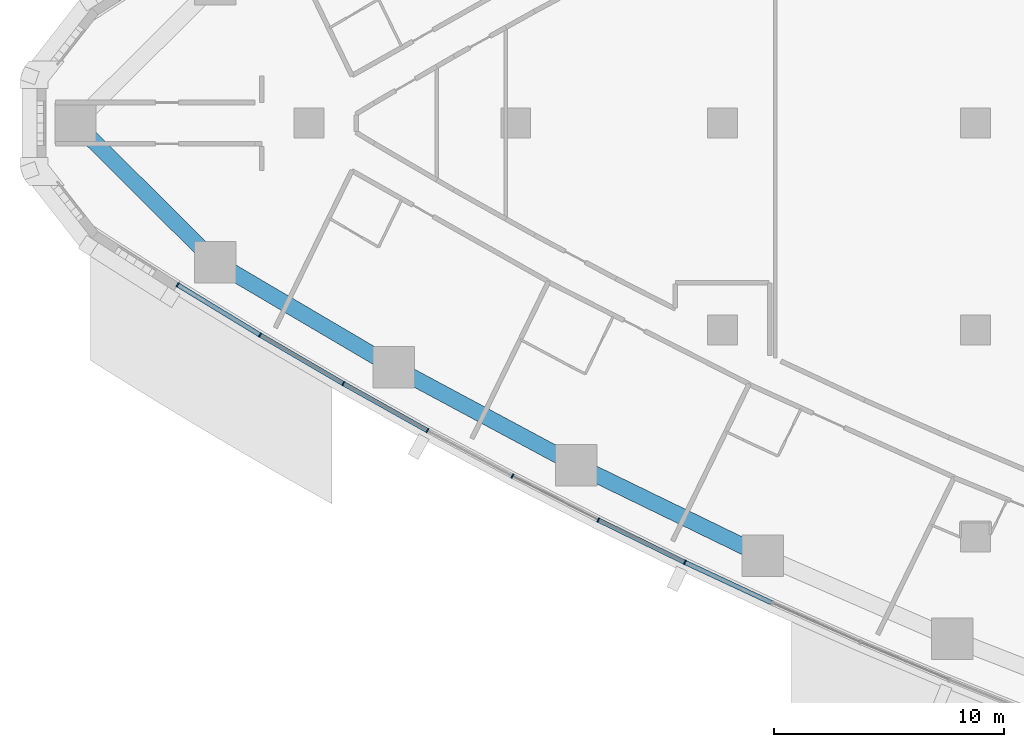
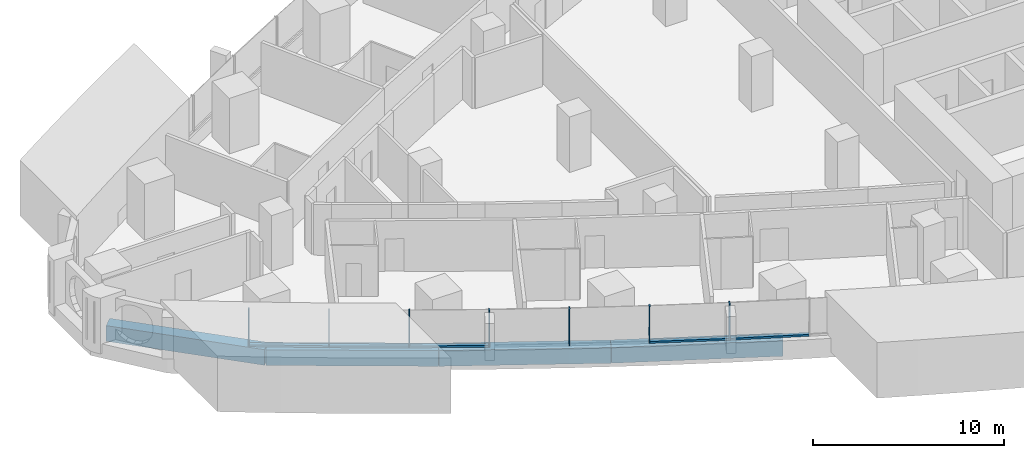
# One storey, part 2 of 19: 12 members, 4 beams, 3 elements without a shape of their own.
"""IFC4 building model written with IfcOpenShell, lengths in metres."""

from ifc_helpers import new_model, si_unit, direction, frame, origin, origin_2d, place, context, subcontext, project, spatial, rectangle, extrude, material, layer, layer_set, material_profile, profile_set, type_object, element, aggregate, save


model = new_model("IFC4")

# Units and contexts
model_context = context("Model", 3, precision=1e-05, world=origin(), true_north=direction((0.0, 1.0)))
body_context = subcontext(model_context, "Body", "Model", "MODEL_VIEW")
ifc_project = project(units=[si_unit("LENGTHUNIT", "METRE"), si_unit("AREAUNIT", "SQUARE_METRE"), si_unit("VOLUMEUNIT", "CUBIC_METRE"), si_unit("PLANEANGLEUNIT", "RADIAN"), si_unit("MASSUNIT", "GRAM", prefix="KILO")], contexts=[model_context])

# Site, building, storey
site_placement = place(None, origin())
site = spatial("IfcSite", under=ifc_project, at=site_placement, CompositionType="ELEMENT")
building_placement = place(site_placement, origin())
building = spatial("IfcBuilding", under=site, at=building_placement, Name="Ostrand Prow Hotel Tower", CompositionType="ELEMENT")
storey_placement = place(building_placement, frame((0.0, 0.0, 60.89990234375)))
storey = spatial("IfcBuildingStorey", under=building, at=storey_placement, Name="L13", CompositionType="ELEMENT", Elevation=60.89990234375)

# Beams
ifc_material_1 = material(Name="Concrete C80/95", Category="concrete")
ifc_material_profile_1 = material_profile(ifc_material_1, rectangle(XDim=0.699951171875, YDim=1.0, at=origin_2d()), Name="RC 700x1000")
ifc_profile_set_1 = profile_set([ifc_material_profile_1], Name="Concrete C80/95")
beam_type = type_object("IfcBeamType", Name="Edge beam 700x1000 C80/95", PredefinedType="SPANDREL", material=ifc_profile_set_1)
beam_1_placement = place(storey_placement, frame((5.848388671875, 0.0, -0.7998046875), z_axis=(0.709211674915, -0.70499560294, 0.0), x_axis=(0.70499560294, 0.709211674915, 0.0)))
element("IfcBeam", 1, at=beam_1_placement, inside=storey, type_object=beam_type, Name="Edge beam P-S1", PredefinedType="SPANDREL", context=body_context, shape_type="SweptSolid", body=[
    extrude(rectangle(XDim=0.699951171875, YDim=1.0, at=origin_2d()), origin(), (0.0, 0.0, 1.0), 8.5703125),
])
beam_2_placement = place(storey_placement, frame((11.926513671875, -6.0419921875, -0.7998046875), z_axis=(0.861725230108, -0.507375233722, 0.0), x_axis=(0.507375233722, 0.861725230108, 0.0)))
element("IfcBeam", 2, at=beam_2_placement, inside=storey, type_object=beam_type, Name="Edge beam S1-S2", PredefinedType="SPANDREL", context=body_context, shape_type="SweptSolid", body=[
    extrude(rectangle(XDim=0.699951171875, YDim=1.0, at=origin_2d()), origin(), (0.0, 0.0, 1.0), 9.012451171875),
])
beam_3_placement = place(storey_placement, frame((19.69287109375, -10.61474609375, -0.7998046875), z_axis=(0.881270074696, -0.472613008122, 0.0), x_axis=(0.472613008122, 0.881270074696, 0.0)))
element("IfcBeam", 3, at=beam_3_placement, inside=storey, type_object=beam_type, Name="Edge beam S2-S3", PredefinedType="SPANDREL", context=body_context, shape_type="SweptSolid", body=[
    extrude(rectangle(XDim=0.699951171875, YDim=1.0, at=origin_2d()), origin(), (0.0, 0.0, 1.0), 9.0126953125),
])
beam_4_placement = place(storey_placement, frame((27.635498046875, -14.874267578125, -0.7998046875), z_axis=(0.899382499202, -0.437162578601, 0.0), x_axis=(0.437162578601, 0.899382499202, 0.0)))
element("IfcBeam", 4, at=beam_4_placement, inside=storey, type_object=beam_type, Name="Edge beam S3-S4", PredefinedType="SPANDREL", context=body_context, shape_type="SweptSolid", body=[
    extrude(rectangle(XDim=0.699951171875, YDim=1.0, at=origin_2d()), origin(), (0.0, 0.0, 1.0), 9.012451171875),
])

# Curtain wall, members
ifc_material_2 = material(Name="Insulated glass in bronze anodised frame", Category="glass")
ifc_layer = layer(ifc_material_2, 0.199951171875)
ifc_layer_set = layer_set([ifc_layer], Name="Insulated glass in bronze anodised frame")
curtain_wall_type = type_object("IfcCurtainWallType", Name="Strip curtain wall, fritted glass over bronze spandrel", PredefinedType="NOTDEFINED", material=ifc_layer_set)
curtain_wall_1_placement = place(storey_placement, origin())
curtain_wall_1 = element("IfcCurtainWall", 5, at=curtain_wall_1_placement, inside=storey, type_object=curtain_wall_type, Name="CW1 run CWS1", PredefinedType="NOTDEFINED")
ifc_material_3 = material(Name="Bronze anodised aluminium", Category="aluminium")
ifc_material_profile_2 = material_profile(ifc_material_3, rectangle(XDim=0.199951171875, YDim=0.06005859375, at=origin_2d()), Name="Mullion 60x200 bronze anodised aluminium")
ifc_profile_set_2 = profile_set([ifc_material_profile_2], Name="Bronze anodised aluminium")
member_type_1 = type_object("IfcMemberType", Name="Mullion 60x200 bronze anodised aluminium", PredefinedType="MULLION", material=ifc_profile_set_2)
member_1_placement = place(storey_placement, frame((10.29443359375, -7.031494140625, 0.900146484375), z_axis=(0.0, 0.0, 1.0), x_axis=(0.519830761515, 0.854269266322, 0.0)))
member_1 = element("IfcMember", 6, at=member_1_placement, type_object=member_type_1, Name="CW1 mullion 1", PredefinedType="MULLION", context=body_context, shape_type="SweptSolid", body=[
    extrude(rectangle(XDim=0.199951171875, YDim=0.06005859375, at=origin_2d()), origin(), (0.0, 0.0, 1.0), 2.349853515625),
])
member_2_placement = place(storey_placement, frame((13.87744140625, -9.2119140625, 0.900146484375), z_axis=(0.0, 0.0, 1.0), x_axis=(0.50402272292, 0.863690392896, 0.0)))
member_2 = element("IfcMember", 7, at=member_2_placement, type_object=member_type_1, Name="CW1 mullion 2", PredefinedType="MULLION", context=body_context, shape_type="SweptSolid", body=[
    extrude(rectangle(XDim=0.199951171875, YDim=0.06005859375, at=origin_2d()), origin(), (0.0, 0.0, 1.0), 2.349853515625),
])
member_3_placement = place(storey_placement, frame((17.5, -11.325927734375, 0.900146484375), z_axis=(0.0, 0.0, 1.0), x_axis=(0.50402272292, 0.863690392896, 0.0)))
member_3 = element("IfcMember", 8, at=member_3_placement, type_object=member_type_1, Name="CW1 mullion 3", PredefinedType="MULLION", context=body_context, shape_type="SweptSolid", body=[
    extrude(rectangle(XDim=0.199951171875, YDim=0.06005859375, at=origin_2d()), origin(), (0.0, 0.0, 1.0), 2.349853515625),
])

curtain_wall_2_placement = place(storey_placement, origin())
curtain_wall_2 = element("IfcCurtainWall", 9, at=curtain_wall_2_placement, inside=storey, type_object=curtain_wall_type, Name="CW1 run CWS2", PredefinedType="NOTDEFINED")
member_4_placement = place(storey_placement, frame((21.160888671875, -13.372802734375, 0.900146484375), z_axis=(0.0, 0.0, 1.0), x_axis=(0.471899992481, 0.881652083929, 0.0)))
member_4 = element("IfcMember", 10, at=member_4_placement, type_object=member_type_1, Name="CW1 mullion 2", PredefinedType="MULLION", context=body_context, shape_type="SweptSolid", body=[
    extrude(rectangle(XDim=0.199951171875, YDim=0.06005859375, at=origin_2d()), origin(), (0.0, 0.0, 1.0), 2.349853515625),
])
member_5_placement = place(storey_placement, frame((24.858642578125, -15.35205078125, 0.900146484375), z_axis=(0.0, 0.0, 1.0), x_axis=(0.455596179055, 0.890186565631, 0.0)))
member_5 = element("IfcMember", 11, at=member_5_placement, type_object=member_type_1, Name="CW1 mullion 3", PredefinedType="MULLION", context=body_context, shape_type="SweptSolid", body=[
    extrude(rectangle(XDim=0.199951171875, YDim=0.06005859375, at=origin_2d()), origin(), (0.0, 0.0, 1.0), 2.349853515625),
])
member_6_placement = place(storey_placement, frame((28.59228515625, -17.262939453125, 0.900146484375), z_axis=(0.0, 0.0, 1.0), x_axis=(0.455596179055, 0.890186565631, 0.0)))
member_6 = element("IfcMember", 12, at=member_6_placement, type_object=member_type_1, Name="CW1 mullion 4", PredefinedType="MULLION", context=body_context, shape_type="SweptSolid", body=[
    extrude(rectangle(XDim=0.199951171875, YDim=0.06005859375, at=origin_2d()), origin(), (0.0, 0.0, 1.0), 2.349853515625),
])

# Curtain wall, member
curtain_wall_3_placement = place(storey_placement, origin())
curtain_wall_3 = element("IfcCurtainWall", 13, at=curtain_wall_3_placement, inside=storey, type_object=curtain_wall_type, Name="CW1 run CWS3", PredefinedType="NOTDEFINED")
member_7_placement = place(storey_placement, frame((32.360595703125, -19.10498046875, 0.900146484375), z_axis=(0.0, 0.0, 1.0), x_axis=(0.422529678615, 0.906349088757, 0.0)))
member_7 = element("IfcMember", 14, at=member_7_placement, type_object=member_type_1, Name="CW1 mullion 2", PredefinedType="MULLION", context=body_context, shape_type="SweptSolid", body=[
    extrude(rectangle(XDim=0.199951171875, YDim=0.06005859375, at=origin_2d()), origin(), (0.0, 0.0, 1.0), 2.349853515625),
])

# Member
ifc_material_4 = material(Name="Bronze anodised aluminium", Category="aluminium")
ifc_material_profile_3 = material_profile(ifc_material_4, rectangle(XDim=0.199951171875, YDim=0.1201171875, at=origin_2d()), Name="Transom 120x200 bronze anodised aluminium")
ifc_profile_set_3 = profile_set([ifc_material_profile_3], Name="Bronze anodised aluminium")
member_type_2 = type_object("IfcMemberType", Name="Transom 120x200 bronze anodised aluminium", PredefinedType="USERDEFINED", material=ifc_profile_set_3)
member_8_placement = place(storey_placement, frame((10.320068359375, -7.047119140625, 0.960205078125), z_axis=(0.8542612678, -0.519843905741, 0.0), x_axis=(0.519843905741, 0.8542612678, 0.0)))
member_8 = element("IfcMember", 15, at=member_8_placement, type_object=member_type_2, Name="CW1 transom 1.1", ObjectType="TRANSOM", PredefinedType="USERDEFINED", context=body_context, shape_type="SweptSolid", body=[
    extrude(rectangle(XDim=0.199951171875, YDim=0.1201171875, at=origin_2d()), origin(), (0.0, 0.0, 1.0), 4.13427734375),
])

member_9_placement = place(storey_placement, frame((13.9033203125, -9.22705078125, 0.960205078125), z_axis=(0.863697501622, -0.504010541251, 0.0), x_axis=(0.504010541251, 0.863697501622, 0.0)))
member_9 = element("IfcMember", 16, at=member_9_placement, type_object=member_type_2, Name="CW1 transom 2.1", ObjectType="TRANSOM", PredefinedType="USERDEFINED", context=body_context, shape_type="SweptSolid", body=[
    extrude(rectangle(XDim=0.199951171875, YDim=0.1201171875, at=origin_2d()), origin(), (0.0, 0.0, 1.0), 4.13427734375),
])

aggregate(curtain_wall_1, [member_1, member_2, member_3, member_8, member_9])

member_10_placement = place(storey_placement, frame((17.526123046875, -11.340576171875, 0.960205078125), z_axis=(0.872842137405, -0.488002667175, 0.0), x_axis=(0.488002667175, 0.872842137405, 0.0)))
member_10 = element("IfcMember", 17, at=member_10_placement, type_object=member_type_2, Name="CW1 transom 1.1", ObjectType="TRANSOM", PredefinedType="USERDEFINED", context=body_context, shape_type="SweptSolid", body=[
    extrude(rectangle(XDim=0.199951171875, YDim=0.1201171875, at=origin_2d()), origin(), (0.0, 0.0, 1.0), 4.13427734375),
])

aggregate(curtain_wall_2, [member_4, member_5, member_6, member_10])

member_11_placement = place(storey_placement, frame((28.619384765625, -17.276123046875, 0.960205078125), z_axis=(0.898395234758, -0.439187889364, 0.0), x_axis=(0.439187889364, 0.898395234758, 0.0)))
member_11 = element("IfcMember", 18, at=member_11_placement, type_object=member_type_2, Name="CW1 transom 1.1", ObjectType="TRANSOM", PredefinedType="USERDEFINED", context=body_context, shape_type="SweptSolid", body=[
    extrude(rectangle(XDim=0.199951171875, YDim=0.1201171875, at=origin_2d()), origin(), (0.0, 0.0, 1.0), 4.13427734375),
])

member_12_placement = place(storey_placement, frame((32.3876953125, -19.117431640625, 0.960205078125), z_axis=(0.906338458793, -0.422552479714, 0.0), x_axis=(0.422552479714, 0.906338458793, 0.0)))
member_12 = element("IfcMember", 19, at=member_12_placement, type_object=member_type_2, Name="CW1 transom 2.1", ObjectType="TRANSOM", PredefinedType="USERDEFINED", context=body_context, shape_type="SweptSolid", body=[
    extrude(rectangle(XDim=0.199951171875, YDim=0.1201171875, at=origin_2d()), origin(), (0.0, 0.0, 1.0), 4.134521484375),
])

aggregate(curtain_wall_3, [member_7, member_11, member_12])

save(model, "model.ifc")
